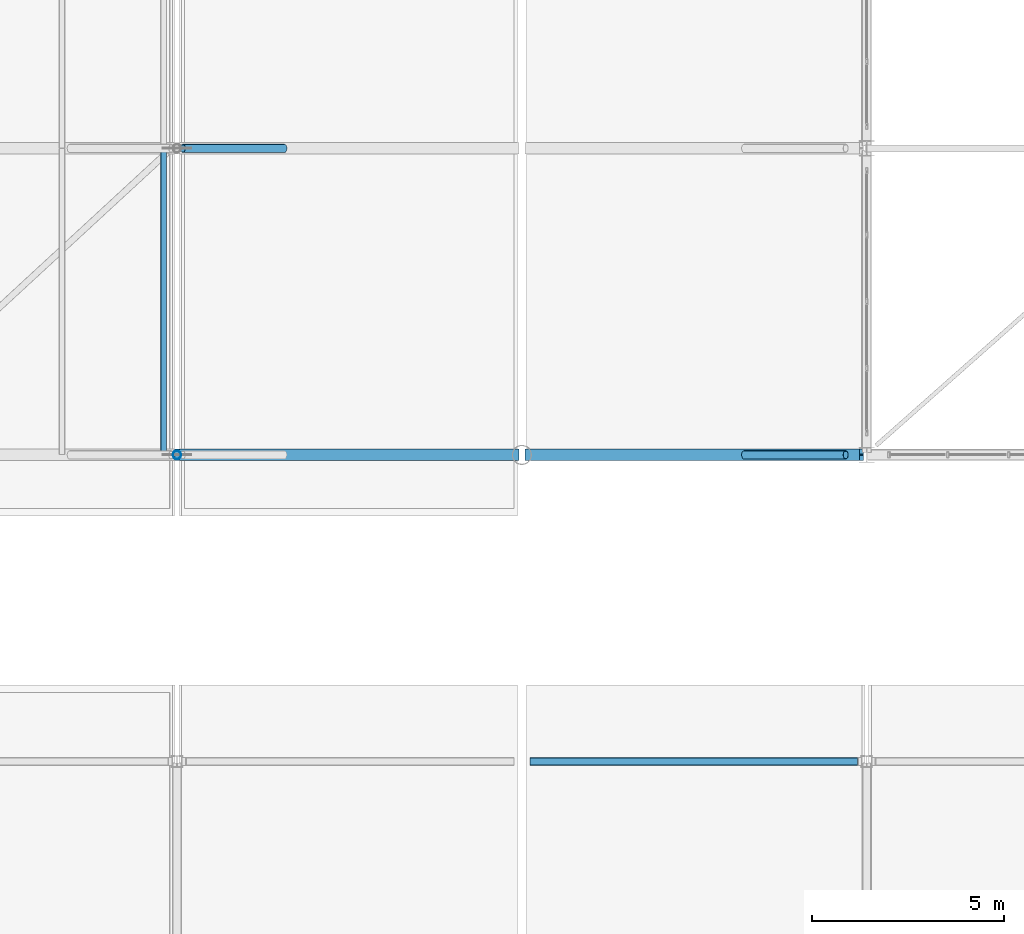
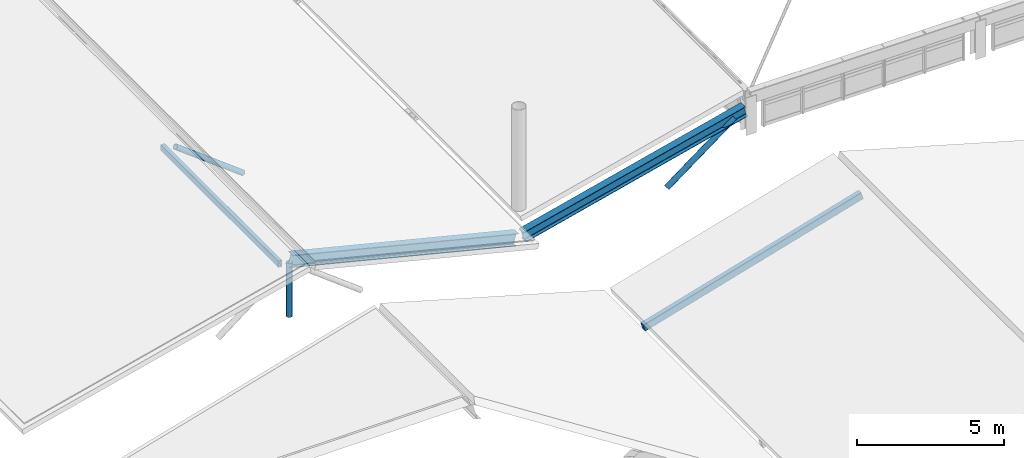
# One storey, part 11 of 128: 5 members, 2 beams.
"""IFC4 building model written with IfcOpenShell, lengths in metres."""

from ifc_helpers import new_model, si_unit, derived_unit, direction, frame, origin, origin_2d, place, context, subcontext, project, spatial, hollow_rectangle, hollow_circle, i_section, extrude, material, material_profile, profile_set, type_object, element, save


model = new_model("IFC4")

# Units and contexts
model_context = context("Model", 3, precision=1e-05, world=origin(), true_north=direction((0.0, 1.0)))
body_context = subcontext(model_context, "Body", "Model", "MODEL_VIEW")
ifc_project = project(units=[si_unit("LENGTHUNIT", "METRE"), si_unit("AREAUNIT", "SQUARE_METRE"), si_unit("VOLUMEUNIT", "CUBIC_METRE"), si_unit("PLANEANGLEUNIT", "RADIAN"), si_unit("MASSUNIT", "GRAM", prefix="KILO"), derived_unit("THERMALTRANSMITTANCEUNIT", [(si_unit("MASSUNIT", "GRAM", prefix="KILO"), 1), (si_unit("TIMEUNIT", "SECOND"), -3), (si_unit("THERMODYNAMICTEMPERATUREUNIT", "KELVIN"), -1)])], contexts=[model_context])

# Site, building, storey
site_placement = place(None, origin())
site = spatial("IfcSite", under=ifc_project, at=site_placement, CompositionType="ELEMENT")
building_placement = place(site_placement, origin())
building = spatial("IfcBuilding", under=site, at=building_placement, Name="Zhenchuan Archway Interchange", CompositionType="ELEMENT")
storey_placement = place(building_placement, frame((0.0, 0.0, 14.39990234375)))
storey = spatial("IfcBuildingStorey", under=building, at=storey_placement, Name="L03", CompositionType="ELEMENT", Elevation=14.39990234375)

# Beams
ifc_material_1 = material(Name="Steel Q355", Category="steel")
ifc_material_profile_1 = material_profile(ifc_material_1, i_section(OverallWidth=0.300048828125, OverallDepth=0.43994140625, WebThickness=0.010986328125, FlangeThickness=0.01806640625, FilletRadius=0.02197265625, at=origin_2d()), Name="HM 440x300")
ifc_profile_set_1 = profile_set([ifc_material_profile_1], Name="Steel Q355")
beam_type_1 = type_object("IfcBeamType", Name="BM_STL_HM440", PredefinedType="BEAM", material=ifc_profile_set_1)
beam_1_placement = place(storey_placement, frame((18.139892578125, 24.0, -1.219970703125), z_axis=(0.97013930464, 0.0, 0.242548406698), x_axis=(0.0, 1.0, 0.0)))
element("IfcBeam", 1, at=beam_1_placement, inside=storey, type_object=beam_type_1, Name="ROOF TRUSS bus canopy T1 top chord 3", PredefinedType="BEAM", context=body_context, shape_type="SweptSolid", body=[
    extrude(i_section(OverallWidth=0.300048828125, OverallDepth=0.43994140625, WebThickness=0.010986328125, FlangeThickness=0.01806640625, FilletRadius=0.02197265625, at=origin_2d()), origin(), (0.0, 0.0, 1.0), 8.988525390625),
])
ifc_material_2 = material(Name="Steel Q390", Category="steel")
ifc_material_profile_2 = material_profile(ifc_material_2, i_section(OverallWidth=0.300048828125, OverallDepth=0.5, WebThickness=0.010986328125, FlangeThickness=0.01806640625, FilletRadius=0.02197265625, at=origin_2d()), Name="HM 500x300")
ifc_profile_set_2 = profile_set([ifc_material_profile_2], Name="Steel Q390")
beam_type_2 = type_object("IfcBeamType", Name="BM_STL_HM500", PredefinedType="BEAM", material=ifc_profile_set_2)
beam_2_placement = place(storey_placement, frame((9.0, 24.0, 0.97998046875), z_axis=(0.970529815041, 0.0, -0.240981074187), x_axis=(0.0, 1.0, 0.0)))
element("IfcBeam", 2, at=beam_2_placement, inside=storey, type_object=beam_type_2, Name="ROOF TRUSS bus canopy T1 top chord 2", PredefinedType="BEAM", context=body_context, shape_type="SweptSolid", body=[
    extrude(i_section(OverallWidth=0.300048828125, OverallDepth=0.5, WebThickness=0.010986328125, FlangeThickness=0.01806640625, FilletRadius=0.02197265625, at=origin_2d()), origin(), (0.0, 0.0, 1.0), 9.129150390625),
])

# Members
ifc_material_profile_3 = material_profile(ifc_material_1, hollow_circle(Radius=0.109619140625, WallThickness=0.008056640625, at=origin_2d()), Name="CHS 219x8")
ifc_profile_set_3 = profile_set([ifc_material_profile_3], Name="Steel Q355")
member_type_1 = type_object("IfcMemberType", Name="MB_CHS219", PredefinedType="BRACE", material=ifc_profile_set_3)
member_1_placement = place(storey_placement, frame((9.0, 24.0, -1.349853515625), z_axis=(0.0, 0.0, 1.0), x_axis=(1.0, 0.0, 0.0)))
element("IfcMember", 3, at=member_1_placement, inside=storey, type_object=member_type_1, Name="ROOF TRUSS bus canopy T1 web V1", PredefinedType="BRACE", context=body_context, shape_type="SweptSolid", body=[
    extrude(hollow_circle(Radius=0.109619140625, WallThickness=0.008056640625, at=origin_2d()), origin(), (0.0, 0.0, 1.0), 2.22998046875),
])
member_2_placement = place(storey_placement, frame((23.800048828125, 24.0, -1.219970703125), z_axis=(0.801079207633, 0.0, 0.598558353962), x_axis=(0.0, 1.0, 0.0)))
element("IfcMember", 4, at=member_2_placement, inside=storey, type_object=member_type_1, Name="ROOF TRUSS bus canopy T1 web D3", PredefinedType="BRACE", context=body_context, shape_type="SweptSolid", body=[
    extrude(hollow_circle(Radius=0.109619140625, WallThickness=0.008056640625, at=origin_2d()), origin(), (0.0, 0.0, 1.0), 3.307861328125),
])
member_3_placement = place(storey_placement, frame((11.800048828125, 32.0, -1.254638671875), z_axis=(-0.796084461129, 0.0, 0.605185534154), x_axis=(0.0, -1.0, 0.0)))
element("IfcMember", 5, at=member_3_placement, inside=storey, type_object=member_type_1, Name="ROOF TRUSS bus canopy T2 web D2", PredefinedType="BRACE", context=body_context, shape_type="SweptSolid", body=[
    extrude(hollow_circle(Radius=0.109619140625, WallThickness=0.008056640625, at=origin_2d()), origin(), (0.0, 0.0, 1.0), 3.328857421875),
])
ifc_material_profile_4 = material_profile(ifc_material_1, hollow_rectangle(XDim=0.159912109375, YDim=0.260009765625, WallThickness=0.010009765625, InnerFilletRadius=0.010009765625, OuterFilletRadius=0.02001953125, at=origin_2d()), Name="RHS 260x160x10")
ifc_profile_set_4 = profile_set([ifc_material_profile_4], Name="Steel Q355")
member_type_2 = type_object("IfcMemberType", Name="MB_RHS260", PredefinedType="PURLIN", material=ifc_profile_set_4)
member_4_placement = place(storey_placement, frame((8.64990234375, 24.008056640625, 0.920166015625), z_axis=(0.0, 1.0, 0.0), x_axis=(-1.0, 0.0, 0.0)))
element("IfcMember", 6, at=member_4_placement, inside=storey, type_object=member_type_2, Name="Bus canopy roof purlin B1-P3", PredefinedType="PURLIN", context=body_context, shape_type="SweptSolid", body=[
    extrude(hollow_rectangle(XDim=0.159912109375, YDim=0.260009765625, WallThickness=0.010009765625, InnerFilletRadius=0.010009765625, OuterFilletRadius=0.02001953125, at=origin_2d()), origin(), (0.0, 0.0, 1.0), 7.98388671875),
])
ifc_material_profile_5 = material_profile(ifc_material_1, hollow_rectangle(XDim=0.199951171875, YDim=0.300048828125, WallThickness=0.010009765625, InnerFilletRadius=0.010009765625, OuterFilletRadius=0.02001953125, at=origin_2d()), Name="RHS 300x200x10")
ifc_profile_set_5 = profile_set([ifc_material_profile_5], Name="Steel Q355")
member_type_3 = type_object("IfcMemberType", Name="MB_RHS300", PredefinedType="CHORD", material=ifc_profile_set_5)
member_5_placement = place(storey_placement, frame((18.25, 16.0, -0.199951171875), z_axis=(0.959811619482, 0.0, 0.28064506963), x_axis=(0.0, 1.0, 0.0)))
element("IfcMember", 7, at=member_5_placement, inside=storey, type_object=member_type_3, Name="Cycle Hub folded-plate rafter N-3", PredefinedType="CHORD", context=body_context, shape_type="SweptSolid", body=[
    extrude(hollow_rectangle(XDim=0.199951171875, YDim=0.300048828125, WallThickness=0.010009765625, InnerFilletRadius=0.010009765625, OuterFilletRadius=0.02001953125, at=origin_2d()), origin(), (0.0, 0.0, 1.0), 8.907958984375),
])

save(model, "model.ifc")
